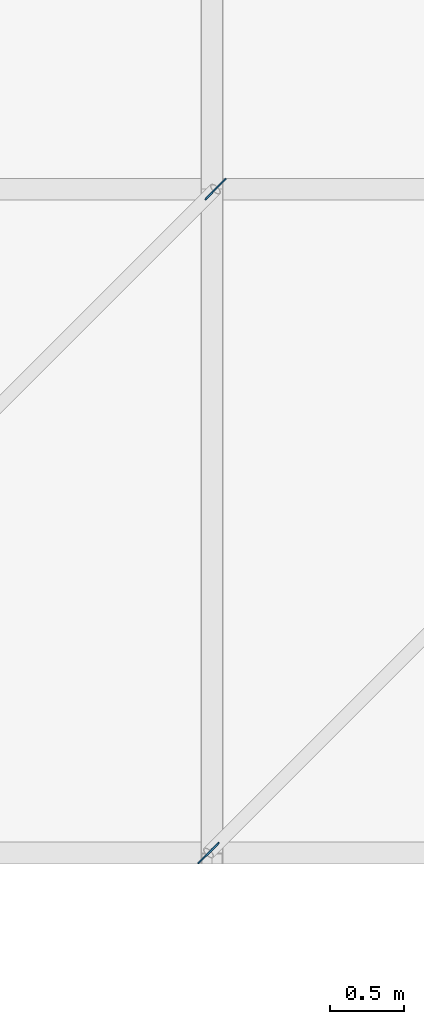
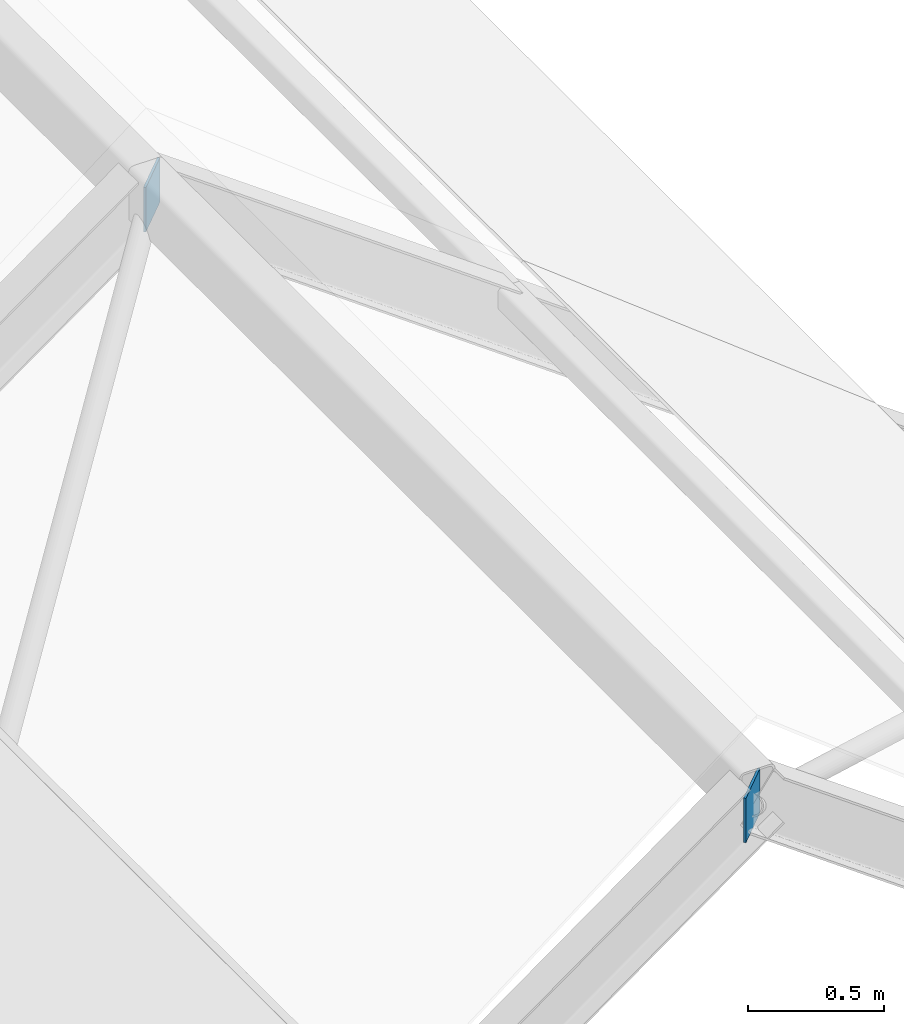
# One storey, part 56 of 74: 2 discrete accessories.
"""IFC4 building model written with IfcOpenShell, lengths in metres."""

from ifc_helpers import new_model, si_unit, direction, frame, origin, origin_2d, place, context, subcontext, project, spatial, rectangle, extrude, material, type_object, element, save


model = new_model("IFC4")

# Units and contexts
model_context = context("Model", 3, precision=1e-05, world=origin(), true_north=direction((0.0, 1.0)))
body_context = subcontext(model_context, "Body", "Model", "MODEL_VIEW")
ifc_project = project(units=[si_unit("LENGTHUNIT", "METRE"), si_unit("AREAUNIT", "SQUARE_METRE"), si_unit("VOLUMEUNIT", "CUBIC_METRE"), si_unit("PLANEANGLEUNIT", "RADIAN"), si_unit("MASSUNIT", "GRAM", prefix="KILO")], contexts=[model_context])

# Site, building, storey
site_placement = place(None, origin())
site = spatial("IfcSite", under=ifc_project, at=site_placement, CompositionType="ELEMENT")
building_placement = place(site_placement, origin())
building = spatial("IfcBuilding", under=site, at=building_placement, Name="Hortulan Conservatory and Botanical Research Centre", CompositionType="ELEMENT")
storey_placement = place(building_placement, frame((0.0, 0.0, 6.0)))
storey = spatial("IfcBuildingStorey", under=building, at=storey_placement, Name="L01", CompositionType="ELEMENT", Elevation=6.0)

# Discrete accessories
ifc_material = material(Name="Steel Grade 300 plate (AS/NZS 3678, 280 MPa minimum yield)", Category="steel")
discrete_accessory_type = type_object("IfcDiscreteAccessoryType", Name="End Plate 200x10", PredefinedType="BRACKET", material=ifc_material)
for number, where, z_axis, x_axis, name in (
    (1, (98.9765625, 0.0, 2.21240234375), (0.0, 0.0, 1.0), (0.707106781187, 0.707106781187, 0.0), "Brace end plate"),
    (2, (99.0234375, 4.5, 2.21240234375), (0.0, 0.0, 1.0), (0.707106781187, 0.707106781187, 0.0), "Brace end plate"),
):
    element("IfcDiscreteAccessory", number, at=place(storey_placement, frame(where, z_axis=z_axis, x_axis=x_axis)), inside=storey, type_object=discrete_accessory_type, Name=name, PredefinedType="BRACKET", context=body_context, shape_type="SweptSolid", body=[
        extrude(rectangle(XDim=0.199951171875, YDim=0.010009765625, at=origin_2d()), origin(), (0.0, 0.0, 1.0), 0.199951171875),
    ])

save(model, "model.ifc")
